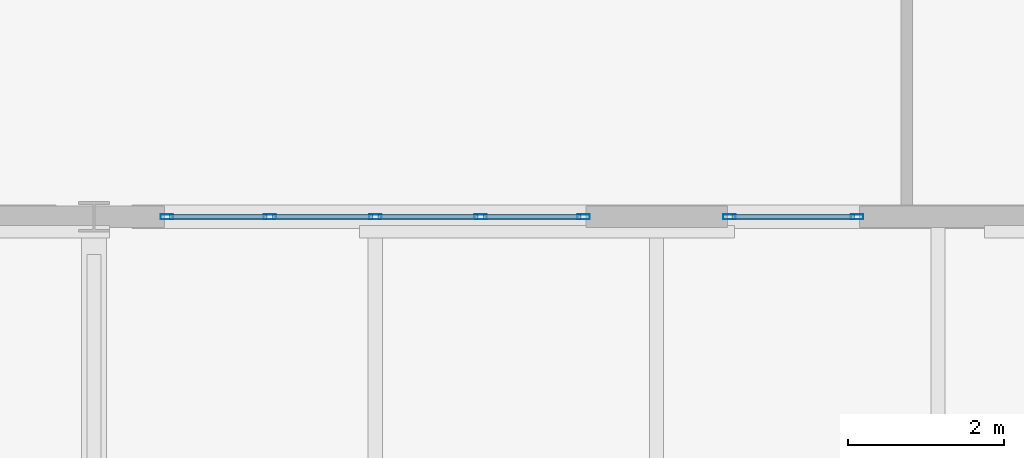
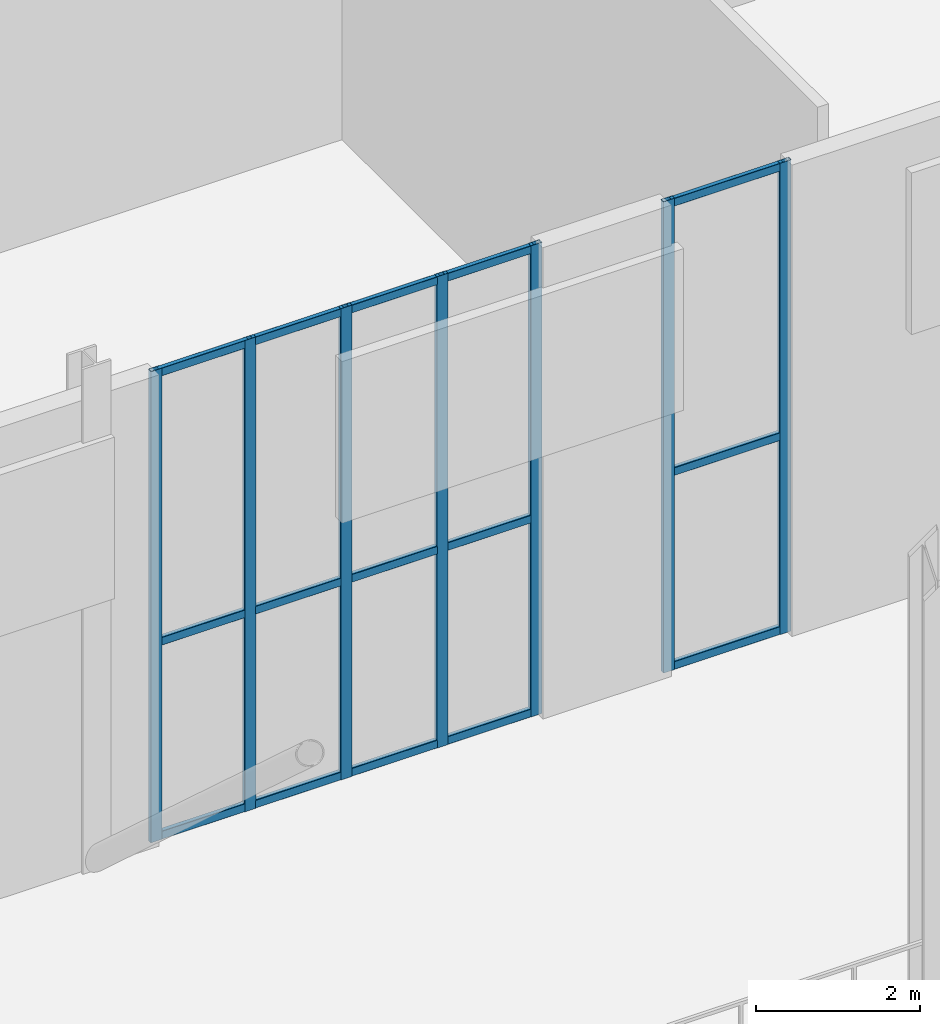
# One storey, part 14 of 23: 22 members, 2 elements without a shape of their own.
"""IFC4 building model written with IfcOpenShell, lengths in metres."""

import ifcopenshell
import ifcopenshell.guid

model = None  # the IFC model being written
_history = None  # IfcOwnerHistory: only IFC2X3 demands one
_inside = {}  # id of a spatial element -> (the spatial element, [elements in it])
_under = {}  # id of a project, library or spatial element -> (it, [spatial elements below it])
_declared = {}  # id of a project -> (the project, [libraries it declares])
_typed = {}  # id of a type object -> (the type object, [elements of that type])
_made_of = {}  # id of a material, layer set ... -> (it, [elements and type objects made of it])


def new_model(schema):
    """Start an empty IFC model of exactly this schema.

    Asked for "IFC4X3", IfcOpenShell would pick the latest addendum, in which some entities
    have other attributes; the version numbers below select the first issue.
    IFC2X3 requires an IfcOwnerHistory on every rooted entity: one is made here for all.
    """
    global model, _history
    if schema == "IFC4X3":
        model = ifcopenshell.file(schema_version=(4, 3, 0, 0))
    else:
        model = ifcopenshell.file(schema=schema)
    _inside.clear()
    _under.clear()
    _declared.clear()
    _typed.clear()
    _made_of.clear()
    _history = None
    if model.schema == "IFC2X3":
        org = make("IfcOrganization", Name="unknown")
        user = make(
            "IfcPersonAndOrganization",
            ThePerson=make("IfcPerson", FamilyName="unknown"),
            TheOrganization=org,
        )
        app = make(
            "IfcApplication",
            ApplicationDeveloper=org,
            Version="unknown",
            ApplicationFullName="unknown",
            ApplicationIdentifier="unknown",
        )
        _history = make(
            "IfcOwnerHistory",
            OwningUser=user,
            OwningApplication=app,
            ChangeAction="ADDED",
            CreationDate=0,
        )
    return model


def make(cls, **values):
    """One entity of the class cls with the attributes given. An attribute that is None is left unset."""
    return model.create_entity(
        cls, **{name: value for name, value in values.items() if value is not None}
    )


def rooted(cls, **values):
    """An entity with a GlobalId (a new one), such as an element, a storey or a relation."""
    return make(cls, GlobalId=ifcopenshell.guid.new(), OwnerHistory=_history, **values)


def si_unit(unit_type, name, prefix=None):
    """IfcSIUnit, for example si_unit("LENGTHUNIT", "METRE", prefix="MILLI")."""
    return make("IfcSIUnit", UnitType=unit_type, Prefix=prefix, Name=name)


def assignment(units):
    """IfcUnitAssignment: the units of a project."""
    return None if units is None else make("IfcUnitAssignment", Units=units)


def point(xyz):
    """IfcCartesianPoint."""
    return None if xyz is None else make("IfcCartesianPoint", Coordinates=xyz)


def direction(xyz):
    """IfcDirection."""
    return None if xyz is None else make("IfcDirection", DirectionRatios=xyz)


def frame(location, z_axis=None, x_axis=None):
    """IfcAxis2Placement3D, a coordinate frame: its origin and axes. An axis left out is left unset."""
    return make(
        "IfcAxis2Placement3D",
        Location=point(location),
        Axis=direction(z_axis),
        RefDirection=direction(x_axis),
    )


def frame_2d(location, x_axis=None):
    """IfcAxis2Placement2D, a coordinate frame in the plane: its origin and x axis."""
    return make(
        "IfcAxis2Placement2D", Location=point(location), RefDirection=direction(x_axis)
    )


def origin():
    """The frame at (0, 0, 0) with its axes left unset."""
    return frame((0.0, 0.0, 0.0))


def origin_2d():
    """The frame at (0, 0) in the plane with its x axis left unset."""
    return frame_2d((0.0, 0.0))


def place(relative_to, where):
    """IfcLocalPlacement: puts the frame where relative to a parent placement (None: the world)."""
    return make(
        "IfcLocalPlacement", PlacementRelTo=relative_to, RelativePlacement=where
    )


def context(
    kind, dimensions, precision=None, world=None, true_north=None, identifier=None
):
    """IfcGeometricRepresentationContext, for example the 3D "Model" context."""
    return make(
        "IfcGeometricRepresentationContext",
        ContextIdentifier=identifier,
        ContextType=kind,
        CoordinateSpaceDimension=dimensions,
        Precision=precision,
        WorldCoordinateSystem=world,
        TrueNorth=true_north,
    )


def subcontext(parent, identifier, kind, view, scale=None):
    """IfcGeometricRepresentationSubContext, for example "Body" below "Model"."""
    return make(
        "IfcGeometricRepresentationSubContext",
        ContextIdentifier=identifier,
        ContextType=kind,
        ParentContext=parent,
        TargetScale=scale,
        TargetView=view,
    )


def project(units=None, contexts=None):
    """IfcProject with its units and contexts."""
    return rooted(
        "IfcProject",
        Name="project",
        RepresentationContexts=contexts,
        UnitsInContext=assignment(units),
    )


def spatial(cls, under=None, at=None, **own):
    """A site, building, storey or space (cls), placed at a placement, below another one or the project."""
    s = rooted(cls, ObjectPlacement=at, **own)
    if under is not None:
        _under.setdefault(under.id(), (under, []))[1].append(s)
    return s


def profile(cls, at=None, kind="AREA", **sizes):
    """A parametric profile (cls). Its sizes go by their IFC names, for example OverallWidth=200.0."""
    return make(cls, ProfileType=kind, Position=at, **sizes)


def hollow_rectangle(**sizes):
    """IfcRectangleHollowProfileDef."""
    return profile("IfcRectangleHollowProfileDef", **sizes)


def extrude(swept, where, along, depth):
    """IfcExtrudedAreaSolid: the profile swept, set in the frame where, extruded along a direction by depth."""
    return make(
        "IfcExtrudedAreaSolid",
        SweptArea=swept,
        Position=where,
        ExtrudedDirection=direction(along),
        Depth=depth,
    )


def shape(context_of_items, identifier, shape_type, items):
    """IfcShapeRepresentation: the items that make up one representation, for example the "Body"."""
    return make(
        "IfcShapeRepresentation",
        ContextOfItems=context_of_items,
        RepresentationIdentifier=identifier,
        RepresentationType=shape_type,
        Items=items,
    )


def material(Name=None, Category=None):
    """IfcMaterial."""
    return make("IfcMaterial", Name=Name, Category=Category)


def layer(
    of_material, thickness, ventilated=None, Name=None, Category=None, Priority=None
):
    """IfcMaterialLayer: one layer of a wall or slab, of a material (None: an air gap)."""
    return make(
        "IfcMaterialLayer",
        Material=of_material,
        LayerThickness=thickness,
        IsVentilated=ventilated,
        Name=Name,
        Category=Category,
        Priority=Priority,
    )


def layer_set(layers, Name=None):
    """IfcMaterialLayerSet."""
    return make("IfcMaterialLayerSet", MaterialLayers=layers, LayerSetName=Name)


def material_profile(
    of_material, cross_section, Name=None, Category=None, Priority=None
):
    """IfcMaterialProfile: a cross section and its material."""
    return make(
        "IfcMaterialProfile",
        Name=Name,
        Material=of_material,
        Profile=cross_section,
        Priority=Priority,
        Category=Category,
    )


def profile_set(profiles, Name=None, composite=None):
    """IfcMaterialProfileSet."""
    return make(
        "IfcMaterialProfileSet",
        Name=Name,
        MaterialProfiles=profiles,
        CompositeProfile=composite,
    )


def made_of(thing, what):
    """Note that an element or type object is made of a material, layer set ...; save() writes the relation."""
    if what is not None:
        _made_of.setdefault(what.id(), (what, []))[1].append(thing)
    return thing


def type_object(cls, material=None, **own):
    """A type object (cls), such as IfcWallType, which elements share."""
    return made_of(rooted(cls, **own), material)


def element(
    cls,
    number,
    at=None,
    inside=None,
    cuts=None,
    type_object=None,
    material=None,
    context=None,
    identifier="Body",
    shape_type=None,
    held_by="IfcProductDefinitionShape",
    body=None,
    shapes=None,
    **own,
):
    """One element of the class cls, such as IfcWall. Its Tag is "e" and its number.

    at: its placement. inside: the storey or other place that contains it. cuts: it is an
    opening in that element (IfcRelVoidsElement). A single representation is given by context,
    identifier, shape_type and body (its items); several are given by shapes. held_by: the class
    of the entity that holds the representations. save() writes the other relations.
    """
    e = rooted(cls, Tag="e%d" % number, ObjectPlacement=at, **own)
    if body is not None:
        shapes = [shape(context, identifier, shape_type, body)]
    if shapes is not None:
        e.Representation = make(held_by, Representations=shapes)
    if inside is not None:
        _inside.setdefault(inside.id(), (inside, []))[1].append(e)
    if cuts is not None:
        rooted(
            "IfcRelVoidsElement", RelatingBuildingElement=cuts, RelatedOpeningElement=e
        )
    if type_object is not None:
        _typed.setdefault(type_object.id(), (type_object, []))[1].append(e)
    return made_of(e, material)


def aggregate(whole, parts):
    """IfcRelAggregates: a whole, such as a stair, and the parts it consists of."""
    return rooted("IfcRelAggregates", RelatingObject=whole, RelatedObjects=parts)


def save(model, path):
    """Write the relations noted so far, then the file.

    IfcRelAggregates (storeys below a building ...), IfcRelContainedInSpatialStructure (elements
    in a storey), IfcRelDefinesByType, IfcRelAssociatesMaterial and IfcRelDeclares: one each for
    every whole, place, type object, material and project.
    """
    for whole, parts in _under.values():
        aggregate(whole, parts)
    for where, things in _inside.values():
        rooted(
            "IfcRelContainedInSpatialStructure",
            RelatedElements=things,
            RelatingStructure=where,
        )
    for kind, things in _typed.values():
        rooted("IfcRelDefinesByType", RelatedObjects=things, RelatingType=kind)
    for what, things in _made_of.values():
        rooted("IfcRelAssociatesMaterial", RelatedObjects=things, RelatingMaterial=what)
    for by, libraries in _declared.values():
        rooted("IfcRelDeclares", RelatingContext=by, RelatedDefinitions=libraries)
    model.write(path)


model = new_model("IFC4")

# Units and contexts
model_context = context("Model", 3, precision=1e-05, world=origin(), true_north=direction((0.0, 1.0)))
body_context = subcontext(model_context, "Body", "Model", "MODEL_VIEW")
ifc_project = project(units=[si_unit("LENGTHUNIT", "METRE"), si_unit("AREAUNIT", "SQUARE_METRE"), si_unit("VOLUMEUNIT", "CUBIC_METRE"), si_unit("PLANEANGLEUNIT", "RADIAN"), si_unit("MASSUNIT", "GRAM", prefix="KILO")], contexts=[model_context])

# Site, building, storey
site_placement = place(None, origin())
site = spatial("IfcSite", under=ifc_project, at=site_placement, CompositionType="ELEMENT")
building_placement = place(site_placement, origin())
building = spatial("IfcBuilding", under=site, at=building_placement, Name="Kaelvorn Grand Hotel", CompositionType="ELEMENT")
storey_placement = place(building_placement, frame((0.0, 0.0, 310.699951171875)))
storey = spatial("IfcBuildingStorey", under=building, at=storey_placement, Name="L75", CompositionType="ELEMENT", Elevation=310.699951171875)

# Curtain wall, members
ifc_material = material(Name="Anodised Aluminium", Category="aluminium")
ifc_layer = layer(ifc_material, 0.159912109375)
ifc_layer_set = layer_set([ifc_layer], Name="Anodised Aluminium")
curtain_wall_type = type_object("IfcCurtainWallType", Name="CW-SYS6", PredefinedType="NOTDEFINED", material=ifc_layer_set)
curtain_wall_1_placement = place(storey_placement, origin())
curtain_wall_1 = element("IfcCurtainWall", 1, at=curtain_wall_1_placement, inside=storey, type_object=curtain_wall_type, Name="L75 Unitised Curtain Wall CW6 (CW-L75-S3)", PredefinedType="NOTDEFINED")
ifc_material_profile_1 = material_profile(ifc_material, hollow_rectangle(XDim=0.06494140625, YDim=0.159912109375, WallThickness=0.00341796875, InnerFilletRadius=0.00341796875, OuterFilletRadius=0.007080078125, at=origin_2d()), Name="ALU MULL 65x160")
ifc_profile_set_1 = profile_set([ifc_material_profile_1], Name="Anodised Aluminium")
member_type_1 = type_object("IfcMemberType", Name="CW-SYS6-MULL", PredefinedType="MULLION", material=ifc_profile_set_1)
member_1_placement = place(storey_placement, frame((47.132568359375, 15.0, 0.0), z_axis=(0.0, 0.0, 1.0), x_axis=(0.0, 1.0, 0.0)))
member_1 = element("IfcMember", 2, at=member_1_placement, type_object=member_type_1, Name="CW6 mullion 1", PredefinedType="MULLION", context=body_context, shape_type="SweptSolid", body=[
    extrude(hollow_rectangle(XDim=0.06494140625, YDim=0.159912109375, WallThickness=0.00341796875, InnerFilletRadius=0.00341796875, OuterFilletRadius=0.007080078125, at=origin_2d()), origin(), (0.0, 0.0, 1.0), 7.0),
])
member_2_placement = place(storey_placement, frame((48.449951171875, 15.0, 0.0), z_axis=(0.0, 0.0, 1.0), x_axis=(0.0, 1.0, 0.0)))
member_2 = element("IfcMember", 3, at=member_2_placement, type_object=member_type_1, Name="CW6 mullion 2", PredefinedType="MULLION", context=body_context, shape_type="SweptSolid", body=[
    extrude(hollow_rectangle(XDim=0.06494140625, YDim=0.159912109375, WallThickness=0.00341796875, InnerFilletRadius=0.00341796875, OuterFilletRadius=0.007080078125, at=origin_2d()), origin(), (0.0, 0.0, 1.0), 7.0),
])
member_3_placement = place(storey_placement, frame((49.800048828125, 15.0, 0.0), z_axis=(0.0, 0.0, 1.0), x_axis=(0.0, 1.0, 0.0)))
member_3 = element("IfcMember", 4, at=member_3_placement, type_object=member_type_1, Name="CW6 mullion 3", PredefinedType="MULLION", context=body_context, shape_type="SweptSolid", body=[
    extrude(hollow_rectangle(XDim=0.06494140625, YDim=0.159912109375, WallThickness=0.00341796875, InnerFilletRadius=0.00341796875, OuterFilletRadius=0.007080078125, at=origin_2d()), origin(), (0.0, 0.0, 1.0), 7.0),
])
member_4_placement = place(storey_placement, frame((51.14990234375, 15.0, 0.0), z_axis=(0.0, 0.0, 1.0), x_axis=(0.0, 1.0, 0.0)))
member_4 = element("IfcMember", 5, at=member_4_placement, type_object=member_type_1, Name="CW6 mullion 4", PredefinedType="MULLION", context=body_context, shape_type="SweptSolid", body=[
    extrude(hollow_rectangle(XDim=0.06494140625, YDim=0.159912109375, WallThickness=0.00341796875, InnerFilletRadius=0.00341796875, OuterFilletRadius=0.007080078125, at=origin_2d()), origin(), (0.0, 0.0, 1.0), 7.0),
])
member_5_placement = place(storey_placement, frame((52.467529296875, 15.0, 0.0), z_axis=(0.0, 0.0, 1.0), x_axis=(0.0, 1.0, 0.0)))
member_5 = element("IfcMember", 6, at=member_5_placement, type_object=member_type_1, Name="CW6 mullion 5", PredefinedType="MULLION", context=body_context, shape_type="SweptSolid", body=[
    extrude(hollow_rectangle(XDim=0.06494140625, YDim=0.159912109375, WallThickness=0.00341796875, InnerFilletRadius=0.00341796875, OuterFilletRadius=0.007080078125, at=origin_2d()), origin(), (0.0, 0.0, 1.0), 7.0),
])

curtain_wall_2_placement = place(storey_placement, origin())
curtain_wall_2 = element("IfcCurtainWall", 7, at=curtain_wall_2_placement, inside=storey, type_object=curtain_wall_type, Name="L75 Unitised Curtain Wall CW6 (CW-L75-S4)", PredefinedType="NOTDEFINED")
member_6_placement = place(storey_placement, frame((54.33251953125, 15.0, 0.0), z_axis=(0.0, 0.0, 1.0), x_axis=(0.0, 1.0, 0.0)))
member_6 = element("IfcMember", 8, at=member_6_placement, type_object=member_type_1, Name="CW6 mullion 1", PredefinedType="MULLION", context=body_context, shape_type="SweptSolid", body=[
    extrude(hollow_rectangle(XDim=0.06494140625, YDim=0.159912109375, WallThickness=0.00341796875, InnerFilletRadius=0.00341796875, OuterFilletRadius=0.007080078125, at=origin_2d()), origin(), (0.0, 0.0, 1.0), 7.0),
])
member_7_placement = place(storey_placement, frame((55.967529296875, 15.0, 0.0), z_axis=(0.0, 0.0, 1.0), x_axis=(0.0, 1.0, 0.0)))
member_7 = element("IfcMember", 9, at=member_7_placement, type_object=member_type_1, Name="CW6 mullion 2", PredefinedType="MULLION", context=body_context, shape_type="SweptSolid", body=[
    extrude(hollow_rectangle(XDim=0.06494140625, YDim=0.159912109375, WallThickness=0.00341796875, InnerFilletRadius=0.00341796875, OuterFilletRadius=0.007080078125, at=origin_2d()), origin(), (0.0, 0.0, 1.0), 7.0),
])

# Member
ifc_material_profile_2 = material_profile(ifc_material, hollow_rectangle(XDim=0.06494140625, YDim=0.1201171875, WallThickness=0.00341796875, InnerFilletRadius=0.00341796875, OuterFilletRadius=0.007080078125, at=origin_2d()), Name="ALU TRAN 65x120")
ifc_profile_set_2 = profile_set([ifc_material_profile_2], Name="Anodised Aluminium")
member_type_2 = type_object("IfcMemberType", Name="CW-SYS6-TRAN", PredefinedType="NOTDEFINED", material=ifc_profile_set_2)
member_8_placement = place(storey_placement, frame((47.1650390625, 15.0, 0.06005859375), z_axis=(1.0, 0.0, 0.0), x_axis=(0.0, 1.0, 0.0)))
member_8 = element("IfcMember", 10, at=member_8_placement, type_object=member_type_2, Name="CW6 transom 1.1", ObjectType="TRANSOM", PredefinedType="USERDEFINED", context=body_context, shape_type="SweptSolid", body=[
    extrude(hollow_rectangle(XDim=0.06494140625, YDim=0.1201171875, WallThickness=0.00341796875, InnerFilletRadius=0.00341796875, OuterFilletRadius=0.007080078125, at=origin_2d()), origin(), (0.0, 0.0, 1.0), 1.25244140625),
])

member_9_placement = place(storey_placement, frame((47.1650390625, 15.0, 2.93994140625), z_axis=(1.0, 0.0, 0.0), x_axis=(0.0, 1.0, 0.0)))
member_9 = element("IfcMember", 11, at=member_9_placement, type_object=member_type_2, Name="CW6 transom 1.2", ObjectType="TRANSOM", PredefinedType="USERDEFINED", context=body_context, shape_type="SweptSolid", body=[
    extrude(hollow_rectangle(XDim=0.06494140625, YDim=0.1201171875, WallThickness=0.00341796875, InnerFilletRadius=0.00341796875, OuterFilletRadius=0.007080078125, at=origin_2d()), origin(), (0.0, 0.0, 1.0), 1.25244140625),
])

member_10_placement = place(storey_placement, frame((47.1650390625, 15.0, 6.93994140625), z_axis=(1.0, 0.0, 0.0), x_axis=(0.0, 1.0, 0.0)))
member_10 = element("IfcMember", 12, at=member_10_placement, type_object=member_type_2, Name="CW6 transom 1.3", ObjectType="TRANSOM", PredefinedType="USERDEFINED", context=body_context, shape_type="SweptSolid", body=[
    extrude(hollow_rectangle(XDim=0.06494140625, YDim=0.1201171875, WallThickness=0.00341796875, InnerFilletRadius=0.00341796875, OuterFilletRadius=0.007080078125, at=origin_2d()), origin(), (0.0, 0.0, 1.0), 1.25244140625),
])

member_11_placement = place(storey_placement, frame((48.482421875, 15.0, 0.06005859375), z_axis=(1.0, 0.0, 0.0), x_axis=(0.0, 1.0, 0.0)))
member_11 = element("IfcMember", 13, at=member_11_placement, type_object=member_type_2, Name="CW6 transom 2.1", ObjectType="TRANSOM", PredefinedType="USERDEFINED", context=body_context, shape_type="SweptSolid", body=[
    extrude(hollow_rectangle(XDim=0.06494140625, YDim=0.1201171875, WallThickness=0.00341796875, InnerFilletRadius=0.00341796875, OuterFilletRadius=0.007080078125, at=origin_2d()), origin(), (0.0, 0.0, 1.0), 1.28515625),
])

member_12_placement = place(storey_placement, frame((48.482421875, 15.0, 2.93994140625), z_axis=(1.0, 0.0, 0.0), x_axis=(0.0, 1.0, 0.0)))
member_12 = element("IfcMember", 14, at=member_12_placement, type_object=member_type_2, Name="CW6 transom 2.2", ObjectType="TRANSOM", PredefinedType="USERDEFINED", context=body_context, shape_type="SweptSolid", body=[
    extrude(hollow_rectangle(XDim=0.06494140625, YDim=0.1201171875, WallThickness=0.00341796875, InnerFilletRadius=0.00341796875, OuterFilletRadius=0.007080078125, at=origin_2d()), origin(), (0.0, 0.0, 1.0), 1.28515625),
])

member_13_placement = place(storey_placement, frame((48.482421875, 15.0, 6.93994140625), z_axis=(1.0, 0.0, 0.0), x_axis=(0.0, 1.0, 0.0)))
member_13 = element("IfcMember", 15, at=member_13_placement, type_object=member_type_2, Name="CW6 transom 2.3", ObjectType="TRANSOM", PredefinedType="USERDEFINED", context=body_context, shape_type="SweptSolid", body=[
    extrude(hollow_rectangle(XDim=0.06494140625, YDim=0.1201171875, WallThickness=0.00341796875, InnerFilletRadius=0.00341796875, OuterFilletRadius=0.007080078125, at=origin_2d()), origin(), (0.0, 0.0, 1.0), 1.28515625),
])

member_14_placement = place(storey_placement, frame((49.83251953125, 15.0, 0.06005859375), z_axis=(1.0, 0.0, 0.0), x_axis=(0.0, 1.0, 0.0)))
member_14 = element("IfcMember", 16, at=member_14_placement, type_object=member_type_2, Name="CW6 transom 3.1", ObjectType="TRANSOM", PredefinedType="USERDEFINED", context=body_context, shape_type="SweptSolid", body=[
    extrude(hollow_rectangle(XDim=0.06494140625, YDim=0.1201171875, WallThickness=0.00341796875, InnerFilletRadius=0.00341796875, OuterFilletRadius=0.007080078125, at=origin_2d()), origin(), (0.0, 0.0, 1.0), 1.284912109375),
])

member_15_placement = place(storey_placement, frame((49.83251953125, 15.0, 2.93994140625), z_axis=(1.0, 0.0, 0.0), x_axis=(0.0, 1.0, 0.0)))
member_15 = element("IfcMember", 17, at=member_15_placement, type_object=member_type_2, Name="CW6 transom 3.2", ObjectType="TRANSOM", PredefinedType="USERDEFINED", context=body_context, shape_type="SweptSolid", body=[
    extrude(hollow_rectangle(XDim=0.06494140625, YDim=0.1201171875, WallThickness=0.00341796875, InnerFilletRadius=0.00341796875, OuterFilletRadius=0.007080078125, at=origin_2d()), origin(), (0.0, 0.0, 1.0), 1.284912109375),
])

member_16_placement = place(storey_placement, frame((49.83251953125, 15.0, 6.93994140625), z_axis=(1.0, 0.0, 0.0), x_axis=(0.0, 1.0, 0.0)))
member_16 = element("IfcMember", 18, at=member_16_placement, type_object=member_type_2, Name="CW6 transom 3.3", ObjectType="TRANSOM", PredefinedType="USERDEFINED", context=body_context, shape_type="SweptSolid", body=[
    extrude(hollow_rectangle(XDim=0.06494140625, YDim=0.1201171875, WallThickness=0.00341796875, InnerFilletRadius=0.00341796875, OuterFilletRadius=0.007080078125, at=origin_2d()), origin(), (0.0, 0.0, 1.0), 1.284912109375),
])

member_17_placement = place(storey_placement, frame((51.1826171875, 15.0, 0.06005859375), z_axis=(1.0, 0.0, 0.0), x_axis=(0.0, 1.0, 0.0)))
member_17 = element("IfcMember", 19, at=member_17_placement, type_object=member_type_2, Name="CW6 transom 4.1", ObjectType="TRANSOM", PredefinedType="USERDEFINED", context=body_context, shape_type="SweptSolid", body=[
    extrude(hollow_rectangle(XDim=0.06494140625, YDim=0.1201171875, WallThickness=0.00341796875, InnerFilletRadius=0.00341796875, OuterFilletRadius=0.007080078125, at=origin_2d()), origin(), (0.0, 0.0, 1.0), 1.25244140625),
])

member_18_placement = place(storey_placement, frame((51.1826171875, 15.0, 2.93994140625), z_axis=(1.0, 0.0, 0.0), x_axis=(0.0, 1.0, 0.0)))
member_18 = element("IfcMember", 20, at=member_18_placement, type_object=member_type_2, Name="CW6 transom 4.2", ObjectType="TRANSOM", PredefinedType="USERDEFINED", context=body_context, shape_type="SweptSolid", body=[
    extrude(hollow_rectangle(XDim=0.06494140625, YDim=0.1201171875, WallThickness=0.00341796875, InnerFilletRadius=0.00341796875, OuterFilletRadius=0.007080078125, at=origin_2d()), origin(), (0.0, 0.0, 1.0), 1.25244140625),
])

member_19_placement = place(storey_placement, frame((51.1826171875, 15.0, 6.93994140625), z_axis=(1.0, 0.0, 0.0), x_axis=(0.0, 1.0, 0.0)))
member_19 = element("IfcMember", 21, at=member_19_placement, type_object=member_type_2, Name="CW6 transom 4.3", ObjectType="TRANSOM", PredefinedType="USERDEFINED", context=body_context, shape_type="SweptSolid", body=[
    extrude(hollow_rectangle(XDim=0.06494140625, YDim=0.1201171875, WallThickness=0.00341796875, InnerFilletRadius=0.00341796875, OuterFilletRadius=0.007080078125, at=origin_2d()), origin(), (0.0, 0.0, 1.0), 1.25244140625),
])

aggregate(curtain_wall_1, [member_1, member_2, member_3, member_4, member_5, member_8, member_9, member_10, member_11, member_12, member_13, member_14, member_15, member_16, member_17, member_18, member_19])

member_20_placement = place(storey_placement, frame((54.364990234375, 15.0, 0.06005859375), z_axis=(1.0, 0.0, 0.0), x_axis=(0.0, 1.0, 0.0)))
member_20 = element("IfcMember", 22, at=member_20_placement, type_object=member_type_2, Name="CW6 transom 1.1", ObjectType="TRANSOM", PredefinedType="USERDEFINED", context=body_context, shape_type="SweptSolid", body=[
    extrude(hollow_rectangle(XDim=0.06494140625, YDim=0.1201171875, WallThickness=0.00341796875, InnerFilletRadius=0.00341796875, OuterFilletRadius=0.007080078125, at=origin_2d()), origin(), (0.0, 0.0, 1.0), 1.570068359375),
])

member_21_placement = place(storey_placement, frame((54.364990234375, 15.0, 2.93994140625), z_axis=(1.0, 0.0, 0.0), x_axis=(0.0, 1.0, 0.0)))
member_21 = element("IfcMember", 23, at=member_21_placement, type_object=member_type_2, Name="CW6 transom 1.2", ObjectType="TRANSOM", PredefinedType="USERDEFINED", context=body_context, shape_type="SweptSolid", body=[
    extrude(hollow_rectangle(XDim=0.06494140625, YDim=0.1201171875, WallThickness=0.00341796875, InnerFilletRadius=0.00341796875, OuterFilletRadius=0.007080078125, at=origin_2d()), origin(), (0.0, 0.0, 1.0), 1.570068359375),
])

member_22_placement = place(storey_placement, frame((54.364990234375, 15.0, 6.93994140625), z_axis=(1.0, 0.0, 0.0), x_axis=(0.0, 1.0, 0.0)))
member_22 = element("IfcMember", 24, at=member_22_placement, type_object=member_type_2, Name="CW6 transom 1.3", ObjectType="TRANSOM", PredefinedType="USERDEFINED", context=body_context, shape_type="SweptSolid", body=[
    extrude(hollow_rectangle(XDim=0.06494140625, YDim=0.1201171875, WallThickness=0.00341796875, InnerFilletRadius=0.00341796875, OuterFilletRadius=0.007080078125, at=origin_2d()), origin(), (0.0, 0.0, 1.0), 1.570068359375),
])

aggregate(curtain_wall_2, [member_6, member_7, member_20, member_21, member_22])

save(model, "model.ifc")
